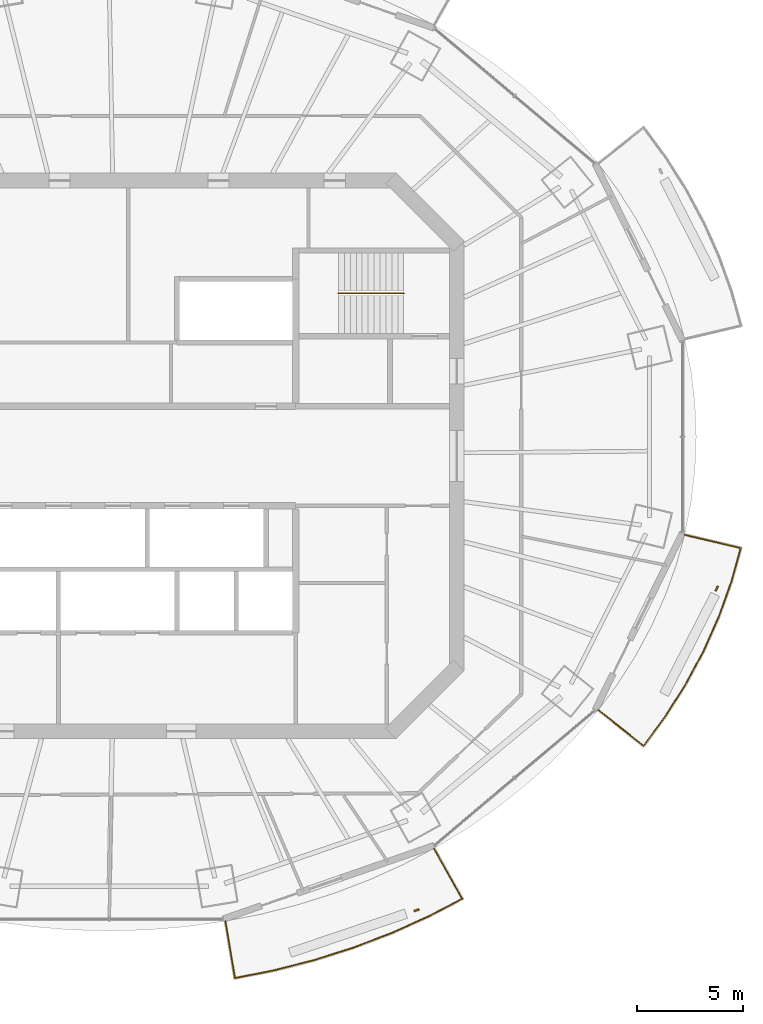
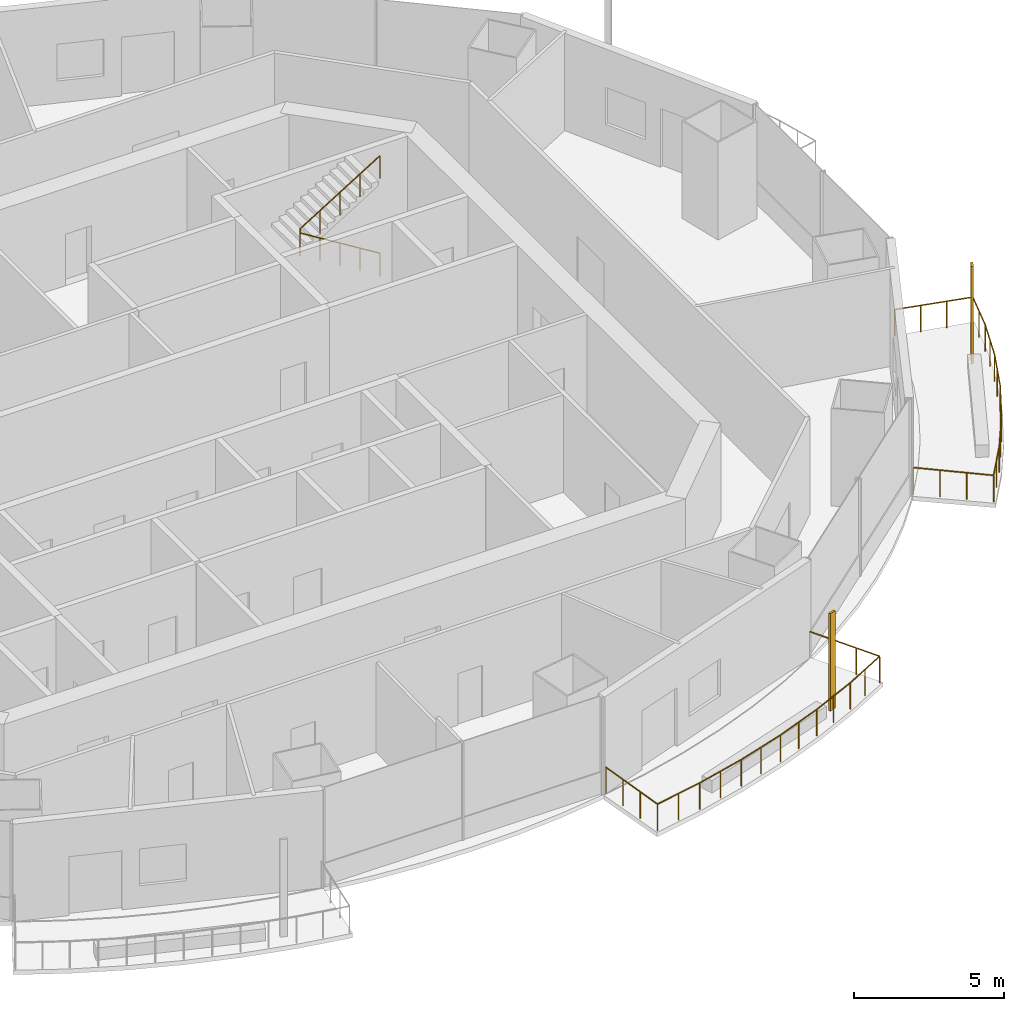
# One storey, part 13 of 16: 3 railings, 2 shading devices.
"""IFC4 building model written with IfcOpenShell, lengths in metres."""

from ifc_helpers import new_model, si_unit, direction, frame, origin, origin_2d, place, context, subcontext, project, spatial, rectangle, circle, extrude, material, material_profile, profile_set, type_object, element, save


model = new_model("IFC4")

# Units and contexts
model_context = context("Model", 3, precision=1e-05, world=origin(), true_north=direction((0.0, 1.0)))
body_context = subcontext(model_context, "Body", "Model", "MODEL_VIEW")
ifc_project = project(units=[si_unit("LENGTHUNIT", "METRE"), si_unit("AREAUNIT", "SQUARE_METRE"), si_unit("VOLUMEUNIT", "CUBIC_METRE"), si_unit("PLANEANGLEUNIT", "RADIAN"), si_unit("MASSUNIT", "GRAM", prefix="KILO")], contexts=[model_context])

# Site, building, storey
site_placement = place(None, origin())
site = spatial("IfcSite", under=ifc_project, at=site_placement, CompositionType="ELEMENT")
building_placement = place(site_placement, origin())
building = spatial("IfcBuilding", under=site, at=building_placement, Name="Marenthal Gate Tower", CompositionType="ELEMENT")
storey_placement = place(building_placement, frame((0.0, 0.0, 321.85009765625)))
storey = spatial("IfcBuildingStorey", under=building, at=storey_placement, Name="L72", CompositionType="ELEMENT", Elevation=321.85009765625)

# Railings
ifc_material_1 = material(Name="Stainless steel", Category="steel")
railing_type_1 = type_object("IfcRailingType", Name="Balcony guard 1100", PredefinedType="GUARDRAIL", material=ifc_material_1)
railing_1_placement = place(storey_placement, frame((14.92626953125, -18.534912109375, 0.0)))
element("IfcRailing", 1, at=railing_1_placement, inside=storey, type_object=railing_type_1, Name="Balcony guard L72 bay 13", PredefinedType="GUARDRAIL", context=body_context, shape_type="SweptSolid", body=[
    extrude(circle(Radius=0.02392578125, at=origin_2d()), frame((0.0, 0.0, 1.076171875), z_axis=(0.490566018996, -0.871279713211, -0.014718775543), x_axis=(0.871374106592, 0.49061916632, 0.0)), (0.0, 0.0, 1.0), 2.72021484375),
    extrude(circle(Radius=0.02392578125, at=origin_2d()), frame((1.33447265625, -2.3701171875, 1.0361328125), z_axis=(-0.886546608419, -0.462639288324, 0.0), x_axis=(0.462639288324, -0.886546608419, 0.0)), (0.0, 0.0, 1.0), 1.82177734375),
    extrude(circle(Radius=0.02392578125, at=origin_2d()), frame((-0.280517578125, -3.212890625, 1.0361328125), z_axis=(-0.911923891931, -0.410359373387, 0.0), x_axis=(0.410359373387, -0.911923891931, 0.0)), (0.0, 0.0, 1.0), 1.913818359375),
    extrude(circle(Radius=0.02392578125, at=origin_2d()), frame((-2.02587890625, -3.998291015625, 1.0361328125), z_axis=(-0.934345067438, -0.356369604419, 0.0), x_axis=(0.356369604419, -0.934345067438, 0.0)), (0.0, 0.0, 1.0), 1.92578125),
    extrude(circle(Radius=0.02392578125, at=origin_2d()), frame((-3.8251953125, -4.6845703125, 1.0361328125), z_axis=(-0.953294423238, -0.302042617232, 0.0), x_axis=(0.302042617232, -0.953294423238, 0.0)), (0.0, 0.0, 1.0), 1.935791015625),
    extrude(circle(Radius=0.02392578125, at=origin_2d()), frame((-5.670654296875, -5.269287109375, 1.0361328125), z_axis=(-0.968904264382, -0.247435903744, 0.0), x_axis=(0.247435903744, -0.968904264382, 0.0)), (0.0, 0.0, 1.0), 1.94482421875),
    extrude(circle(Radius=0.02392578125, at=origin_2d()), frame((-7.554931640625, -5.75048828125, 1.0361328125), z_axis=(-0.981044354343, -0.193783319228, 0.0), x_axis=(0.193783319228, -0.981044354343, 0.0)), (0.0, 0.0, 1.0), 1.8720703125),
    extrude(circle(Radius=0.02392578125, at=origin_2d()), frame((-9.3916015625, -6.11328125, 1.0361328125), z_axis=(-0.165225230724, 0.986146026723, 0.014718597414), x_axis=(-0.986252861995, -0.165243130591, 0.0)), (0.0, 0.0, 1.0), 2.72021484375),
    extrude(circle(Radius=0.02099609375, at=origin_2d()), origin(), (0.0, 0.0, 1.0), 1.052001953125),
    extrude(circle(Radius=0.02099609375, at=origin_2d()), frame((0.44482421875, -0.7900390625, -0.013427734375)), (0.0, 0.0, 1.0), 1.052001953125),
    extrude(circle(Radius=0.02099609375, at=origin_2d()), frame((0.8896484375, -1.580078125, -0.026611328125)), (0.0, 0.0, 1.0), 1.052001953125),
    extrude(circle(Radius=0.02099609375, at=origin_2d()), frame((1.33447265625, -2.3701171875, -0.0400390625)), (0.0, 0.0, 1.0), 1.052001953125),
    extrude(circle(Radius=0.02099609375, at=origin_2d()), frame((0.52685546875, -2.79150390625, -0.0400390625)), (0.0, 0.0, 1.0), 1.052001953125),
    extrude(circle(Radius=0.02099609375, at=origin_2d()), frame((-0.280517578125, -3.212890625, -0.0400390625)), (0.0, 0.0, 1.0), 1.052001953125),
    extrude(circle(Radius=0.02099609375, at=origin_2d()), frame((-1.1533203125, -3.60546875, -0.0400390625)), (0.0, 0.0, 1.0), 1.052001953125),
    extrude(circle(Radius=0.02099609375, at=origin_2d()), frame((-2.02587890625, -3.998291015625, -0.0400390625)), (0.0, 0.0, 1.0), 1.052001953125),
    extrude(circle(Radius=0.02099609375, at=origin_2d()), frame((-2.925537109375, -4.34130859375, -0.0400390625)), (0.0, 0.0, 1.0), 1.052001953125),
    extrude(circle(Radius=0.02099609375, at=origin_2d()), frame((-3.8251953125, -4.6845703125, -0.0400390625)), (0.0, 0.0, 1.0), 1.052001953125),
    extrude(circle(Radius=0.02099609375, at=origin_2d()), frame((-4.748046875, -4.97705078125, -0.0400390625)), (0.0, 0.0, 1.0), 1.052001953125),
    extrude(circle(Radius=0.02099609375, at=origin_2d()), frame((-5.670654296875, -5.269287109375, -0.0400390625)), (0.0, 0.0, 1.0), 1.052001953125),
    extrude(circle(Radius=0.02099609375, at=origin_2d()), frame((-6.61279296875, -5.509765625, -0.0400390625)), (0.0, 0.0, 1.0), 1.052001953125),
    extrude(circle(Radius=0.02099609375, at=origin_2d()), frame((-7.554931640625, -5.75048828125, -0.0400390625)), (0.0, 0.0, 1.0), 1.052001953125),
    extrude(circle(Radius=0.02099609375, at=origin_2d()), frame((-8.47314453125, -5.931884765625, -0.0400390625)), (0.0, 0.0, 1.0), 1.052001953125),
    extrude(circle(Radius=0.02099609375, at=origin_2d()), frame((-9.3916015625, -6.11328125, -0.0400390625)), (0.0, 0.0, 1.0), 1.052001953125),
    extrude(circle(Radius=0.02099609375, at=origin_2d()), frame((-9.54150390625, -5.218994140625, -0.026611328125)), (0.0, 0.0, 1.0), 1.052001953125),
    extrude(circle(Radius=0.02099609375, at=origin_2d()), frame((-9.691162109375, -4.324951171875, -0.013427734375)), (0.0, 0.0, 1.0), 1.052001953125),
    extrude(circle(Radius=0.02099609375, at=origin_2d()), frame((-9.841064453125, -3.4306640625, 0.0)), (0.0, 0.0, 1.0), 1.052001953125),
])
railing_2_placement = place(storey_placement, frame((26.760986328125, -3.728759765625, 0.0)))
element("IfcRailing", 2, at=railing_2_placement, inside=storey, type_object=railing_type_1, Name="Balcony guard L72 bay 15", PredefinedType="GUARDRAIL", context=body_context, shape_type="SweptSolid", body=[
    extrude(circle(Radius=0.02392578125, at=origin_2d()), frame((0.0, 0.0, 1.076171875), z_axis=(0.973162057354, -0.229649733011, -0.014717685117), x_axis=(0.229674609296, 0.97326747292, 0.0)), (0.0, 0.0, 1.0), 2.720458984375),
    extrude(circle(Radius=0.02392578125, at=origin_2d()), frame((2.6474609375, -0.624755859375, 1.0361328125), z_axis=(-0.268767418185, -0.963205105324, 0.0), x_axis=(0.963205105324, -0.268767418185, 0.0)), (0.0, 0.0, 1.0), 1.669677734375),
    extrude(circle(Radius=0.02392578125, at=origin_2d()), frame((2.19873046875, -2.23291015625, 1.0361328125), z_axis=(-0.338940900894, -0.940807666689, 0.0), x_axis=(0.940807666689, -0.338940900894, 0.0)), (0.0, 0.0, 1.0), 1.7568359375),
    extrude(circle(Radius=0.02392578125, at=origin_2d()), frame((1.603271484375, -3.8857421875, 1.0361328125), z_axis=(-0.408087166089, -0.912942969124, 0.0), x_axis=(0.912942969124, -0.408087166089, 0.0)), (0.0, 0.0, 1.0), 1.76611328125),
    extrude(circle(Radius=0.02392578125, at=origin_2d()), frame((0.882568359375, -5.498046875, 1.0361328125), z_axis=(-0.473837561929, -0.880612267065, 0.0), x_axis=(0.880612267065, -0.473837561929, 0.0)), (0.0, 0.0, 1.0), 1.776611328125),
    extrude(circle(Radius=0.02392578125, at=origin_2d()), frame((0.040771484375, -7.0625, 1.0361328125), z_axis=(-0.536035938593, -0.844195162588, 0.0), x_axis=(0.844195162588, -0.536035938593, 0.0)), (0.0, 0.0, 1.0), 1.7880859375),
    extrude(circle(Radius=0.02392578125, at=origin_2d()), frame((-0.917724609375, -8.572021484375, 1.0361328125), z_axis=(-0.592782936872, -0.805362272368, 0.0), x_axis=(0.805362272368, -0.592782936872, 0.0)), (0.0, 0.0, 1.0), 1.721435546875),
    extrude(circle(Radius=0.02392578125, at=origin_2d()), frame((-1.938232421875, -9.95849609375, 1.0361328125), z_axis=(-0.783447468662, 0.621283714267, 0.014717684406), x_axis=(-0.621351013405, -0.783532333819, 0.0)), (0.0, 0.0, 1.0), 2.720458984375),
    extrude(circle(Radius=0.02099609375, at=origin_2d()), origin(), (0.0, 0.0, 1.0), 1.052001953125),
    extrude(circle(Radius=0.02099609375, at=origin_2d()), frame((0.882568359375, -0.208251953125, -0.013427734375)), (0.0, 0.0, 1.0), 1.052001953125),
    extrude(circle(Radius=0.02099609375, at=origin_2d()), frame((1.764892578125, -0.41650390625, -0.026611328125)), (0.0, 0.0, 1.0), 1.052001953125),
    extrude(circle(Radius=0.02099609375, at=origin_2d()), frame((2.6474609375, -0.624755859375, -0.0400390625)), (0.0, 0.0, 1.0), 1.052001953125),
    extrude(circle(Radius=0.02099609375, at=origin_2d()), frame((2.423095703125, -1.4287109375, -0.0400390625)), (0.0, 0.0, 1.0), 1.052001953125),
    extrude(circle(Radius=0.02099609375, at=origin_2d()), frame((2.19873046875, -2.23291015625, -0.0400390625)), (0.0, 0.0, 1.0), 1.052001953125),
    extrude(circle(Radius=0.02099609375, at=origin_2d()), frame((1.90087890625, -3.059326171875, -0.0400390625)), (0.0, 0.0, 1.0), 1.052001953125),
    extrude(circle(Radius=0.02099609375, at=origin_2d()), frame((1.603271484375, -3.8857421875, -0.0400390625)), (0.0, 0.0, 1.0), 1.052001953125),
    extrude(circle(Radius=0.02099609375, at=origin_2d()), frame((1.242919921875, -4.69189453125, -0.0400390625)), (0.0, 0.0, 1.0), 1.052001953125),
    extrude(circle(Radius=0.02099609375, at=origin_2d()), frame((0.882568359375, -5.498046875, -0.0400390625)), (0.0, 0.0, 1.0), 1.052001953125),
    extrude(circle(Radius=0.02099609375, at=origin_2d()), frame((0.461669921875, -6.2802734375, -0.0400390625)), (0.0, 0.0, 1.0), 1.052001953125),
    extrude(circle(Radius=0.02099609375, at=origin_2d()), frame((0.040771484375, -7.0625, -0.0400390625)), (0.0, 0.0, 1.0), 1.052001953125),
    extrude(circle(Radius=0.02099609375, at=origin_2d()), frame((-0.4384765625, -7.8173828125, -0.0400390625)), (0.0, 0.0, 1.0), 1.052001953125),
    extrude(circle(Radius=0.02099609375, at=origin_2d()), frame((-0.917724609375, -8.572021484375, -0.0400390625)), (0.0, 0.0, 1.0), 1.052001953125),
    extrude(circle(Radius=0.02099609375, at=origin_2d()), frame((-1.427978515625, -9.26513671875, -0.0400390625)), (0.0, 0.0, 1.0), 1.052001953125),
    extrude(circle(Radius=0.02099609375, at=origin_2d()), frame((-1.938232421875, -9.95849609375, -0.0400390625)), (0.0, 0.0, 1.0), 1.052001953125),
    extrude(circle(Radius=0.02099609375, at=origin_2d()), frame((-2.648681640625, -9.39501953125, -0.026611328125)), (0.0, 0.0, 1.0), 1.052001953125),
    extrude(circle(Radius=0.02099609375, at=origin_2d()), frame((-3.359130859375, -8.831787109375, -0.013427734375)), (0.0, 0.0, 1.0), 1.052001953125),
    extrude(circle(Radius=0.02099609375, at=origin_2d()), frame((-4.069580078125, -8.268310546875, 0.0)), (0.0, 0.0, 1.0), 1.052001953125),
])
ifc_material_2 = material(Name="Stainless steel", Category="steel")
railing_type_2 = type_object("IfcRailingType", Name="Stair handrail", PredefinedType="HANDRAIL", material=ifc_material_2)
railing_3_placement = place(storey_placement, frame((13.5, 7.675048828125, 0.1728515625)))
element("IfcRailing", 3, at=railing_3_placement, inside=storey, type_object=railing_type_2, Name="Handrail ST3", PredefinedType="HANDRAIL", context=body_context, shape_type="SweptSolid", body=[
    extrude(circle(Radius=0.0224609375, at=origin_2d()), frame((0.0, 0.0, 0.927490234375), z_axis=(-0.850835241893, 0.0, 0.525432575268), x_axis=(0.0, -1.0, 0.0)), (0.0, 0.0, 1.0), 3.6201171875),
    extrude(circle(Radius=0.0224609375, at=origin_2d()), frame((-3.080078125, 0.0, 2.82958984375), z_axis=(0.0, 0.0, 1.0), x_axis=(1.0, 0.0, 0.0)), (0.0, 0.0, 1.0), 0.1728515625),
    extrude(circle(Radius=0.0224609375, at=origin_2d()), frame((-3.080078125, 0.0, 3.00244140625), z_axis=(0.850835241893, 0.0, 0.525432575268), x_axis=(0.0, 1.0, 0.0)), (0.0, 0.0, 1.0), 3.6201171875),
    extrude(circle(Radius=0.02001953125, at=origin_2d()), origin(), (0.0, 0.0, 1.0), 0.905029296875),
    extrude(circle(Radius=0.02001953125, at=origin_2d()), frame((-0.77001953125, 0.0, 0.4755859375)), (0.0, 0.0, 1.0), 0.905029296875),
    extrude(circle(Radius=0.02001953125, at=origin_2d()), frame((-1.5400390625, 0.0, 0.951171875)), (0.0, 0.0, 1.0), 0.905029296875),
    extrude(circle(Radius=0.02001953125, at=origin_2d()), frame((-2.31005859375, 0.0, 1.426513671875)), (0.0, 0.0, 1.0), 0.905029296875),
    extrude(circle(Radius=0.02001953125, at=origin_2d()), frame((-3.080078125, 0.0, 1.902099609375)), (0.0, 0.0, 1.0), 0.905029296875),
    extrude(circle(Radius=0.02001953125, at=origin_2d()), frame((-3.080078125, 0.0, 2.074951171875)), (0.0, 0.0, 1.0), 0.905029296875),
    extrude(circle(Radius=0.02001953125, at=origin_2d()), frame((-2.31005859375, 0.0, 2.550537109375)), (0.0, 0.0, 1.0), 0.905029296875),
    extrude(circle(Radius=0.02001953125, at=origin_2d()), frame((-1.5400390625, 0.0, 3.02587890625)), (0.0, 0.0, 1.0), 0.905029296875),
    extrude(circle(Radius=0.02001953125, at=origin_2d()), frame((-0.77001953125, 0.0, 3.50146484375)), (0.0, 0.0, 1.0), 0.905029296875),
    extrude(circle(Radius=0.02001953125, at=origin_2d()), frame((0.0, 0.0, 3.97705078125)), (0.0, 0.0, 1.0), 0.905029296875),
])

# Shading devices
ifc_material_3 = material(Name="Terracotta", Category="masonry")
ifc_material_profile = material_profile(ifc_material_3, rectangle(XDim=0.25, YDim=0.080078125, at=origin_2d()), Name="Terracotta baguette 250x80")
ifc_profile_set = profile_set([ifc_material_profile], Name="Terracotta")
shading_device_type = type_object("IfcShadingDeviceType", Name="Terracotta BAGUETTE SCREEN 250x80", PredefinedType="USERDEFINED", material=ifc_profile_set)
for number, where, z_axis, x_axis, name in (
    (4, (14.107666015625, -21.446044921875, -0.0400390625), (0.0, 0.0, 1.0), (0.944213856974, 0.329332950521, 0.0), "Terracotta BAGUETTE L72 bay 13R"),
    (5, (28.278076171875, -6.26318359375, -0.0400390625), (0.0, 0.0, 1.0), (0.441395261574, 0.897312778834, 0.0), "Terracotta BAGUETTE L72 bay 15R"),
):
    element("IfcShadingDevice", number, at=place(storey_placement, frame(where, z_axis=z_axis, x_axis=x_axis)), inside=storey, type_object=shading_device_type, Name=name, ObjectType="BAGUETTE SCREEN", PredefinedType="USERDEFINED", context=body_context, shape_type="SweptSolid", body=[
        extrude(rectangle(XDim=0.25, YDim=0.080078125, at=origin_2d()), origin(), (0.0, 0.0, 1.0), 3.969970703125),
    ])

save(model, "model.ifc")
